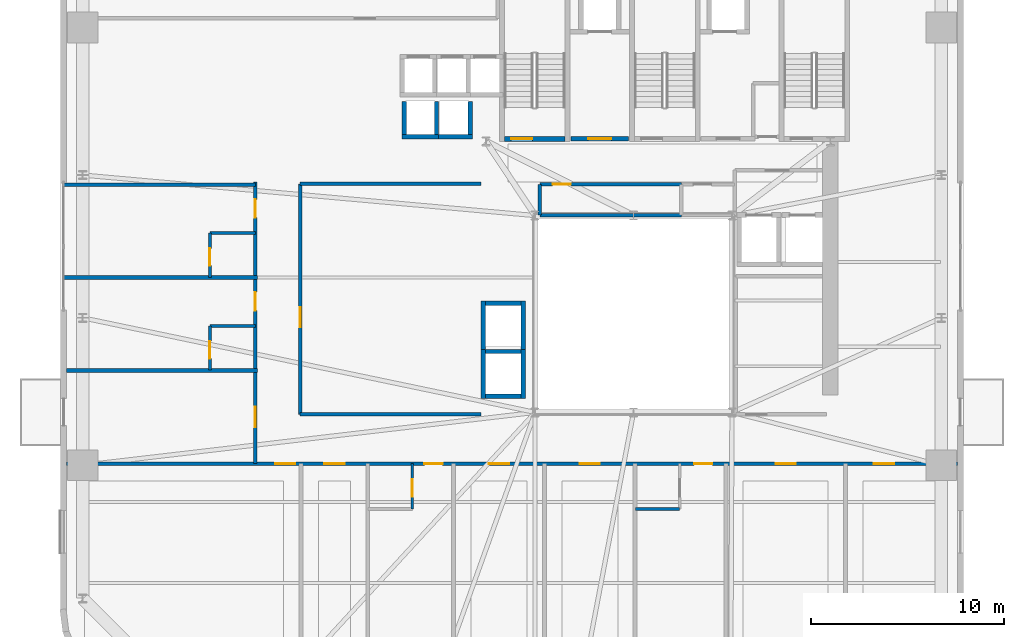
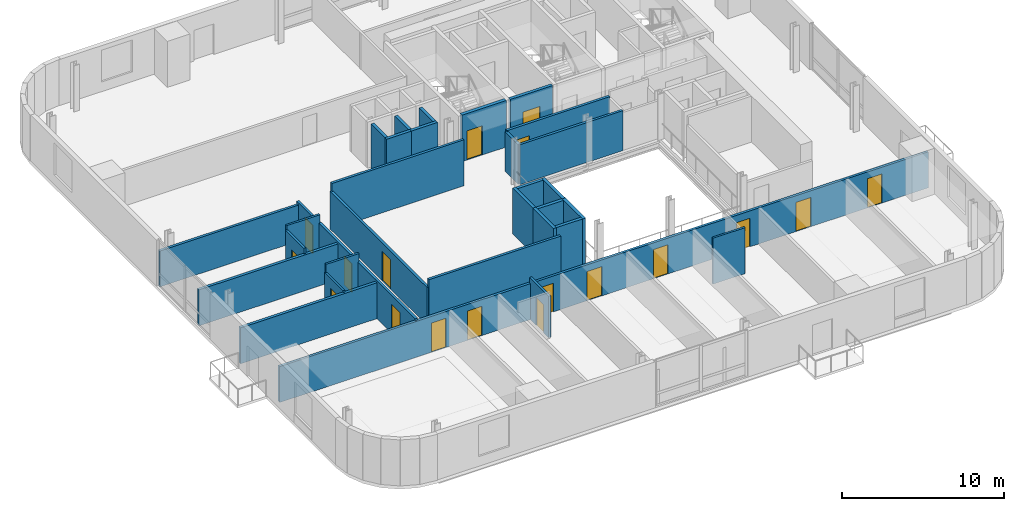
# One storey, part 6 of 14: 31 walls, 18 doors, 18 openings.
"""IFC4 building model written with IfcOpenShell, lengths in metres."""

from ifc_helpers import new_model, si_unit, direction, frame, frame_2d, origin, place, context, subcontext, project, spatial, rectangle, extrude, source, transform, mapped, material, layer, layer_set, type_object, element, fill, save


model = new_model("IFC4")

# Units and contexts
model_context = context("Model", 3, precision=1e-05, world=origin(), true_north=direction((0.0, 1.0)))
body_context = subcontext(model_context, "Body", "Model", "MODEL_VIEW")
ifc_project = project(units=[si_unit("LENGTHUNIT", "METRE"), si_unit("AREAUNIT", "SQUARE_METRE"), si_unit("VOLUMEUNIT", "CUBIC_METRE"), si_unit("PLANEANGLEUNIT", "RADIAN"), si_unit("MASSUNIT", "GRAM", prefix="KILO")], contexts=[model_context])

# Site, building, storey
site_placement = place(None, origin())
site = spatial("IfcSite", under=ifc_project, at=site_placement, CompositionType="ELEMENT")
building_placement = place(site_placement, origin())
building = spatial("IfcBuilding", under=site, at=building_placement, Name="Vardaveli Station Tower", CompositionType="ELEMENT")
storey_placement = place(building_placement, frame((0.0, 0.0, 152.0)))
storey = spatial("IfcBuildingStorey", under=building, at=storey_placement, Name="L39", CompositionType="ELEMENT", Elevation=152.0)

# Wall, opening, door
ifc_material_1 = material(Name="Concrete C40/50", Category="concrete")
ifc_layer_1 = layer(ifc_material_1, 0.25, Name="Concrete C40/50")
ifc_layer_set_1 = layer_set([ifc_layer_1], Name="Concrete C40/50")
wall_type_1 = type_object("IfcWallType", Name="WAL-SHAFT-250", PredefinedType="SOLIDWALL", material=ifc_layer_set_1)
shared_shape_1 = source(origin(), body_context, "Body", "SweptSolid", [
    extrude(rectangle(XDim=3.14990234375, YDim=0.25, at=frame_2d((1.574951171875, 0.0))), origin(), (0.0, 0.0, 1.0), 3.5),
])
wall_1_placement = place(storey_placement, frame((29.60009765625, 30.77490234375, 0.0), z_axis=(0.0, 0.0, 1.0), x_axis=(1.0, 0.0, 0.0)))
wall_1 = element("IfcWall", 1, at=wall_1_placement, inside=storey, type_object=wall_type_1, Name="W-L39-ST-1S", PredefinedType="SOLIDWALL", context=body_context, shape_type="MappedRepresentation", body=[
    mapped(shared_shape_1, transform((0.0, 0.0, 0.0), scale=1.0)),
])
shared_shape_2 = source(origin(), body_context, "Body", "SweptSolid", [
    extrude(rectangle(XDim=1.10009765625, YDim=2.199951171875, at=frame_2d((0.550048828125, 1.10009765625))), frame((0.0, 0.135009765625, 0.0), z_axis=(0.0, -1.0, 0.0), x_axis=(1.0, 0.0, 0.0)), (0.0, 0.0, 1.0), 0.27001953125),
])
opening_1_placement = place(wall_1_placement, frame((0.35009765625, 0.0, 0.0)))
opening_1 = element("IfcOpeningElement", 2, at=opening_1_placement, cuts=wall_1, Name="Opening D-04", PredefinedType="OPENING", context=body_context, shape_type="MappedRepresentation", body=[
    mapped(shared_shape_2, transform((0.0, 0.0, 0.0), scale=1.0)),
])
ifc_material_2 = material(Name="Steel smokeproof fire doorset", Category="steel")
door_type_1 = type_object("IfcDoorType", Name="DR-ST-1100x2200", OperationType="NOTDEFINED", PredefinedType="DOOR", material=ifc_material_2)
shared_shape_3 = source(origin(), body_context, "Body", "SweptSolid", [
    extrude(rectangle(XDim=1.10009765625, YDim=2.199951171875, at=frame_2d((0.550048828125, 1.10009765625))), frame((0.0, 0.02490234375, 0.0), z_axis=(0.0, -1.0, 0.0), x_axis=(1.0, 0.0, 0.0)), (0.0, 0.0, 1.0), 0.050048828125),
])
door_1_placement = place(opening_1_placement, origin())
door_1 = element("IfcDoor", 3, at=door_1_placement, inside=storey, type_object=door_type_1, Name="DST-1-L39", OperationType="SINGLE_SWING_LEFT", OverallHeight=2.199951171875, OverallWidth=1.10009765625, PredefinedType="DOOR", context=body_context, shape_type="MappedRepresentation", body=[
    mapped(shared_shape_3, transform((0.0, 0.0, 0.0), scale=1.0)),
])
fill(opening_1, door_1)

ifc_layer_2 = layer(ifc_material_1, 0.219970703125, Name="Concrete C40/50")
ifc_layer_set_2 = layer_set([ifc_layer_2], Name="Concrete C40/50")
wall_type_2 = type_object("IfcWallType", Name="WAL-FFLOBBY-220", PredefinedType="SOLIDWALL", material=ifc_layer_set_2)
shared_shape_4 = source(origin(), body_context, "Body", "SweptSolid", [
    extrude(rectangle(XDim=3.0, YDim=0.219970703125, at=frame_2d((1.5, 0.0))), origin(), (0.0, 0.0, 1.0), 3.4599609375),
])
wall_2_placement = place(storey_placement, frame((33.050048828125, 30.780029296875, 0.0), z_axis=(0.0, 0.0, 1.0), x_axis=(1.0, 0.0, 0.0)))
wall_2 = element("IfcWall", 4, at=wall_2_placement, inside=storey, type_object=wall_type_2, Name="W-L39-FFL1S", PredefinedType="SOLIDWALL", context=body_context, shape_type="MappedRepresentation", body=[
    mapped(shared_shape_4, transform((0.0, 0.0, 0.0), scale=1.0)),
])
shared_shape_5 = source(origin(), body_context, "Body", "SweptSolid", [
    extrude(rectangle(XDim=1.199951171875, YDim=2.199951171875, at=frame_2d((0.60009765625, 1.10009765625))), frame((0.0, 0.1201171875, 0.0), z_axis=(0.0, -1.0, 0.0), x_axis=(1.0, 0.0, 0.0)), (0.0, 0.0, 1.0), 0.239990234375),
])
opening_2_placement = place(wall_2_placement, frame((0.89990234375, 0.0, 0.0)))
opening_2 = element("IfcOpeningElement", 5, at=opening_2_placement, cuts=wall_2, Name="Opening D-03", PredefinedType="OPENING", context=body_context, shape_type="MappedRepresentation", body=[
    mapped(shared_shape_5, transform((0.0, 0.0, 0.0), scale=1.0)),
])
door_type_2 = type_object("IfcDoorType", Name="DR-FFL-1200x2200", OperationType="NOTDEFINED", PredefinedType="DOOR", material=ifc_material_2)
shared_shape_6 = source(origin(), body_context, "Body", "SweptSolid", [
    extrude(rectangle(XDim=1.199951171875, YDim=2.199951171875, at=frame_2d((0.60009765625, 1.10009765625))), frame((0.0, 0.02490234375, 0.0), z_axis=(0.0, -1.0, 0.0), x_axis=(1.0, 0.0, 0.0)), (0.0, 0.0, 1.0), 0.050048828125),
])
door_2_placement = place(opening_2_placement, origin())
door_2 = element("IfcDoor", 6, at=door_2_placement, inside=storey, type_object=door_type_2, Name="DFFL1-L39", OperationType="SINGLE_SWING_LEFT", OverallHeight=2.199951171875, OverallWidth=1.199951171875, PredefinedType="DOOR", context=body_context, shape_type="MappedRepresentation", body=[
    mapped(shared_shape_6, transform((0.0, 0.0, 0.0), scale=1.0)),
])
fill(opening_2, door_2)

# Walls
shared_shape_7 = source(origin(), body_context, "Body", "SweptSolid", [
    extrude(rectangle(XDim=1.89013671875, YDim=0.219970703125, at=frame_2d((0.945068359375, 0.0))), origin(), (0.0, 0.0, 1.0), 3.4599609375),
])
for number, where, z_axis, x_axis, name in (
    (7, (24.304931640625, 30.889892578125, 0.0), (0.0, 0.0, 1.0), (1.0, 0.0, 0.0), "SHW-SHU-01-L39-S"),
    (8, (26.054931640625, 30.889892578125, 0.0), (0.0, 0.0, 1.0), (1.0, 0.0, 0.0), "SHW-SHU-02-L39-S"),
):
    element("IfcWall", number, at=place(storey_placement, frame(where, z_axis=z_axis, x_axis=x_axis)), inside=storey, type_object=wall_type_2, Name=name, PredefinedType="SOLIDWALL", context=body_context, shape_type="MappedRepresentation", body=[
        mapped(shared_shape_7, transform((0.0, 0.0, 0.0), scale=1.0)),
    ])
shared_shape_8 = source(origin(), body_context, "Body", "SweptSolid", [
    extrude(rectangle(XDim=1.699951171875, YDim=0.219970703125, at=frame_2d((0.85009765625, 0.0))), origin(), (0.0, 0.0, 1.0), 3.4599609375),
])
for number, where, z_axis, x_axis, name in (
    (9, (24.4150390625, 31.0, 0.0), (0.0, 0.0, 1.0), (0.0, 1.0, 0.0), "SHW-SHU-01-L39-W"),
    (10, (26.0849609375, 31.0, 0.0), (0.0, 0.0, 1.0), (0.0, 1.0, 0.0), "SHW-SHU-01-L39-E"),
    (11, (27.8349609375, 31.0, 0.0), (0.0, 0.0, 1.0), (0.0, 1.0, 0.0), "SHW-SHU-02-L39-E"),
):
    element("IfcWall", number, at=place(storey_placement, frame(where, z_axis=z_axis, x_axis=x_axis)), inside=storey, type_object=wall_type_2, Name=name, PredefinedType="SOLIDWALL", context=body_context, shape_type="MappedRepresentation", body=[
        mapped(shared_shape_8, transform((0.0, 0.0, 0.0), scale=1.0)),
    ])
shared_shape_9 = source(origin(), body_context, "Body", "SweptSolid", [
    extrude(rectangle(XDim=1.85009765625, YDim=0.219970703125, at=frame_2d((0.925048828125, 0.0))), origin(), (0.0, 0.0, 1.0), 3.4599609375),
])
for number, where, z_axis, x_axis, name in (
    (12, (28.625, 17.43994140625, 0.0), (0.0, 0.0, 1.0), (1.0, 0.0, 0.0), "SHW-OBS-01-L39-S"),
    (13, (28.625, 19.760009765625, 0.0), (0.0, 0.0, 1.0), (1.0, 0.0, 0.0), "SHW-OBS-01-L39-N"),
    (14, (28.625, 22.260009765625, 0.0), (0.0, 0.0, 1.0), (1.0, 0.0, 0.0), "SHW-OBS-02-L39-N"),
):
    element("IfcWall", number, at=place(storey_placement, frame(where, z_axis=z_axis, x_axis=x_axis)), inside=storey, type_object=wall_type_2, Name=name, PredefinedType="SOLIDWALL", context=body_context, shape_type="MappedRepresentation", body=[
        mapped(shared_shape_9, transform((0.0, 0.0, 0.0), scale=1.0)),
    ])
shared_shape_10 = source(origin(), body_context, "Body", "SweptSolid", [
    extrude(rectangle(XDim=2.5400390625, YDim=0.219970703125, at=frame_2d((1.27001953125, 0.0))), origin(), (0.0, 0.0, 1.0), 3.4599609375),
])
for number, where, z_axis, x_axis, name in (
    (15, (28.514892578125, 17.330078125, 0.0), (0.0, 0.0, 1.0), (0.0, 1.0, 0.0), "SHW-OBS-01-L39-W"),
    (16, (30.5849609375, 17.330078125, 0.0), (0.0, 0.0, 1.0), (0.0, 1.0, 0.0), "SHW-OBS-01-L39-E"),
    (17, (28.514892578125, 19.830078125, 0.0), (0.0, 0.0, 1.0), (0.0, 1.0, 0.0), "SHW-OBS-02-L39-W"),
    (18, (30.5849609375, 19.830078125, 0.0), (0.0, 0.0, 1.0), (0.0, 1.0, 0.0), "SHW-OBS-02-L39-E"),
):
    element("IfcWall", number, at=place(storey_placement, frame(where, z_axis=z_axis, x_axis=x_axis)), inside=storey, type_object=wall_type_2, Name=name, PredefinedType="SOLIDWALL", context=body_context, shape_type="MappedRepresentation", body=[
        mapped(shared_shape_10, transform((0.0, 0.0, 0.0), scale=1.0)),
    ])

# Wall, openings, doors
ifc_material_3 = material(Name="Fire-rated gypsum stud partition")
ifc_layer_3 = layer(ifc_material_3, 0.179931640625, Name="Fire-rated gypsum stud partition")
ifc_layer_set_3 = layer_set([ifc_layer_3], Name="Fire-rated gypsum stud partition")
wall_type_3 = type_object("IfcWallType", Name="WAL-CORR-180", PredefinedType="PARTITIONING", material=ifc_layer_set_3)
shared_shape_11 = source(origin(), body_context, "Body", "SweptSolid", [
    extrude(rectangle(XDim=46.15576171875, YDim=0.179931640625, at=frame_2d((23.077880859375, 0.0))), origin(), (0.0, 0.0, 1.0), 2.701904296875),
])
wall_3_placement = place(storey_placement, frame((6.922119140625, 13.949951171875, 0.0), z_axis=(0.0, 0.0, 1.0), x_axis=(1.0, 0.0, 0.0)))
wall_3 = element("IfcWall", 19, at=wall_3_placement, inside=storey, type_object=wall_type_3, Name="W-L39-CS", PredefinedType="PARTITIONING", context=body_context, shape_type="MappedRepresentation", body=[
    mapped(shared_shape_11, transform((0.0, 0.0, 0.0), scale=1.0)),
])
shared_shape_12 = source(origin(), body_context, "Body", "SweptSolid", [
    extrude(rectangle(XDim=1.050048828125, YDim=2.199951171875, at=frame_2d((0.52490234375, 1.10009765625))), frame((0.0, 0.10009765625, 0.0), z_axis=(0.0, -1.0, 0.0), x_axis=(1.0, 0.0, 0.0)), (0.0, 0.0, 1.0), 0.199951171875),
])
opening_3_placement = place(wall_3_placement, frame((10.798095703125, 0.0, 0.0)))
opening_3 = element("IfcOpeningElement", 20, at=opening_3_placement, cuts=wall_3, Name="Opening D-05", PredefinedType="OPENING", context=body_context, shape_type="MappedRepresentation", body=[
    mapped(shared_shape_12, transform((0.0, 0.0, 0.0), scale=1.0)),
])
opening_4_placement = place(wall_3_placement, frame((13.35302734375, 0.0, 0.0)))
opening_4 = element("IfcOpeningElement", 21, at=opening_4_placement, cuts=wall_3, Name="Opening D-05", PredefinedType="OPENING", context=body_context, shape_type="MappedRepresentation", body=[
    mapped(shared_shape_12, transform((0.0, 0.0, 0.0), scale=1.0)),
])
shared_shape_13 = source(origin(), body_context, "Body", "SweptSolid", [
    extrude(rectangle(XDim=0.949951171875, YDim=2.14990234375, at=frame_2d((0.47509765625, 1.074951171875))), frame((0.0, 0.10009765625, 0.0), z_axis=(0.0, -1.0, 0.0), x_axis=(1.0, 0.0, 0.0)), (0.0, 0.0, 1.0), 0.199951171875),
])
opening_5_placement = place(wall_3_placement, frame((18.531005859375, 0.0, 0.0)))
opening_5 = element("IfcOpeningElement", 22, at=opening_5_placement, cuts=wall_3, Name="Opening D-06", PredefinedType="OPENING", context=body_context, shape_type="MappedRepresentation", body=[
    mapped(shared_shape_13, transform((0.0, 0.0, 0.0), scale=1.0)),
])
opening_6_placement = place(wall_3_placement, frame((21.88525390625, 0.0, 0.0)))
opening_6 = element("IfcOpeningElement", 23, at=opening_6_placement, cuts=wall_3, Name="Opening D-05", PredefinedType="OPENING", context=body_context, shape_type="MappedRepresentation", body=[
    mapped(shared_shape_12, transform((0.0, 0.0, 0.0), scale=1.0)),
])
opening_7_placement = place(wall_3_placement, frame((26.588134765625, 0.0, 0.0)))
opening_7 = element("IfcOpeningElement", 24, at=opening_7_placement, cuts=wall_3, Name="Opening D-05", PredefinedType="OPENING", context=body_context, shape_type="MappedRepresentation", body=[
    mapped(shared_shape_12, transform((0.0, 0.0, 0.0), scale=1.0)),
])
opening_8_placement = place(wall_3_placement, frame((32.51611328125, 0.0, 0.0)))
opening_8 = element("IfcOpeningElement", 25, at=opening_8_placement, cuts=wall_3, Name="Opening D-06", PredefinedType="OPENING", context=body_context, shape_type="MappedRepresentation", body=[
    mapped(shared_shape_13, transform((0.0, 0.0, 0.0), scale=1.0)),
])
opening_9_placement = place(wall_3_placement, frame((36.743896484375, 0.0, 0.0)))
opening_9 = element("IfcOpeningElement", 26, at=opening_9_placement, cuts=wall_3, Name="Opening D-05", PredefinedType="OPENING", context=body_context, shape_type="MappedRepresentation", body=[
    mapped(shared_shape_12, transform((0.0, 0.0, 0.0), scale=1.0)),
])
opening_10_placement = place(wall_3_placement, frame((41.827880859375, 0.0, 0.0)))
opening_10 = element("IfcOpeningElement", 27, at=opening_10_placement, cuts=wall_3, Name="Opening D-05", PredefinedType="OPENING", context=body_context, shape_type="MappedRepresentation", body=[
    mapped(shared_shape_12, transform((0.0, 0.0, 0.0), scale=1.0)),
])
ifc_material_4 = material(Name="Walnut veneer acoustic fire door")
door_type_3 = type_object("IfcDoorType", Name="DR-SUITE-1050x2200", OperationType="NOTDEFINED", PredefinedType="DOOR", material=ifc_material_4)
shared_shape_14 = source(origin(), body_context, "Body", "SweptSolid", [
    extrude(rectangle(XDim=1.050048828125, YDim=2.199951171875, at=frame_2d((0.52490234375, 1.10009765625))), frame((0.0, 0.02490234375, 0.0), z_axis=(0.0, -1.0, 0.0), x_axis=(1.0, 0.0, 0.0)), (0.0, 0.0, 1.0), 0.050048828125),
])
door_3_placement = place(opening_3_placement, origin())
door_3 = element("IfcDoor", 28, at=door_3_placement, inside=storey, type_object=door_type_3, Name="D-L39-SA1", OperationType="SINGLE_SWING_RIGHT", OverallHeight=2.199951171875, OverallWidth=1.050048828125, PredefinedType="DOOR", context=body_context, shape_type="MappedRepresentation", body=[
    mapped(shared_shape_14, transform((0.0, 0.0, 0.0), scale=1.0)),
])
fill(opening_3, door_3)
door_4_placement = place(opening_4_placement, origin())
door_4 = element("IfcDoor", 29, at=door_4_placement, inside=storey, type_object=door_type_3, Name="D-L39-SA2", OperationType="SINGLE_SWING_LEFT", OverallHeight=2.199951171875, OverallWidth=1.050048828125, PredefinedType="DOOR", context=body_context, shape_type="MappedRepresentation", body=[
    mapped(shared_shape_14, transform((0.0, 0.0, 0.0), scale=1.0)),
])
fill(opening_4, door_4)
door_5_placement = place(opening_6_placement, origin())
door_5 = element("IfcDoor", 30, at=door_5_placement, inside=storey, type_object=door_type_3, Name="D-L39-SA4", OperationType="SINGLE_SWING_LEFT", OverallHeight=2.199951171875, OverallWidth=1.050048828125, PredefinedType="DOOR", context=body_context, shape_type="MappedRepresentation", body=[
    mapped(shared_shape_14, transform((0.0, 0.0, 0.0), scale=1.0)),
])
fill(opening_6, door_5)
door_6_placement = place(opening_7_placement, origin())
door_6 = element("IfcDoor", 31, at=door_6_placement, inside=storey, type_object=door_type_3, Name="D-L39-SA5", OperationType="SINGLE_SWING_RIGHT", OverallHeight=2.199951171875, OverallWidth=1.050048828125, PredefinedType="DOOR", context=body_context, shape_type="MappedRepresentation", body=[
    mapped(shared_shape_14, transform((0.0, 0.0, 0.0), scale=1.0)),
])
fill(opening_7, door_6)
door_7_placement = place(opening_9_placement, origin())
door_7 = element("IfcDoor", 32, at=door_7_placement, inside=storey, type_object=door_type_3, Name="D-L39-SA7", OperationType="SINGLE_SWING_RIGHT", OverallHeight=2.199951171875, OverallWidth=1.050048828125, PredefinedType="DOOR", context=body_context, shape_type="MappedRepresentation", body=[
    mapped(shared_shape_14, transform((0.0, 0.0, 0.0), scale=1.0)),
])
fill(opening_9, door_7)
door_8_placement = place(opening_10_placement, origin())
door_8 = element("IfcDoor", 33, at=door_8_placement, inside=storey, type_object=door_type_3, Name="D-L39-SA8", OperationType="SINGLE_SWING_LEFT", OverallHeight=2.199951171875, OverallWidth=1.050048828125, PredefinedType="DOOR", context=body_context, shape_type="MappedRepresentation", body=[
    mapped(shared_shape_14, transform((0.0, 0.0, 0.0), scale=1.0)),
])
fill(opening_10, door_8)
ifc_material_5 = material(Name="Oak veneer acoustic fire door")
door_type_4 = type_object("IfcDoorType", Name="DR-GUEST-950x2150", OperationType="NOTDEFINED", PredefinedType="DOOR", material=ifc_material_5)
shared_shape_15 = source(origin(), body_context, "Body", "SweptSolid", [
    extrude(rectangle(XDim=0.949951171875, YDim=2.14990234375, at=frame_2d((0.47509765625, 1.074951171875))), frame((0.0, 0.02490234375, 0.0), z_axis=(0.0, -1.0, 0.0), x_axis=(1.0, 0.0, 0.0)), (0.0, 0.0, 1.0), 0.050048828125),
])
door_9_placement = place(opening_5_placement, origin())
door_9 = element("IfcDoor", 34, at=door_9_placement, inside=storey, type_object=door_type_4, Name="D-L39-GS3", OperationType="SINGLE_SWING_RIGHT", OverallHeight=2.14990234375, OverallWidth=0.949951171875, PredefinedType="DOOR", context=body_context, shape_type="MappedRepresentation", body=[
    mapped(shared_shape_15, transform((0.0, 0.0, 0.0), scale=1.0)),
])
fill(opening_5, door_9)
door_10_placement = place(opening_8_placement, origin())
door_10 = element("IfcDoor", 35, at=door_10_placement, inside=storey, type_object=door_type_4, Name="D-L39-GS6", OperationType="SINGLE_SWING_LEFT", OverallHeight=2.14990234375, OverallWidth=0.949951171875, PredefinedType="DOOR", context=body_context, shape_type="MappedRepresentation", body=[
    mapped(shared_shape_15, transform((0.0, 0.0, 0.0), scale=1.0)),
])
fill(opening_8, door_10)

shared_shape_16 = source(origin(), body_context, "Body", "SweptSolid", [
    extrude(rectangle(XDim=14.60009765625, YDim=0.179931640625, at=frame_2d((7.300048828125, 0.0))), origin(), (0.0, 0.0, 1.0), 2.85205078125),
])
wall_4_placement = place(storey_placement, frame((16.699951171875, 13.949951171875, 0.0), z_axis=(0.0, 0.0, 1.0), x_axis=(0.0, 1.0, 0.0)))
wall_4 = element("IfcWall", 36, at=wall_4_placement, inside=storey, type_object=wall_type_3, Name="W-L39-CW", PredefinedType="PARTITIONING", context=body_context, shape_type="MappedRepresentation", body=[
    mapped(shared_shape_16, transform((0.0, 0.0, 0.0), scale=1.0)),
])
opening_11_placement = place(wall_4_placement, frame((1.888427734375, 0.0, 0.0)))
opening_11 = element("IfcOpeningElement", 37, at=opening_11_placement, cuts=wall_4, Name="Opening D-05", PredefinedType="OPENING", context=body_context, shape_type="MappedRepresentation", body=[
    mapped(shared_shape_12, transform((0.0, 0.0, 0.0), scale=1.0)),
])
opening_12_placement = place(wall_4_placement, frame((7.929931640625, 0.0, 0.0)))
opening_12 = element("IfcOpeningElement", 38, at=opening_12_placement, cuts=wall_4, Name="Opening D-06", PredefinedType="OPENING", context=body_context, shape_type="MappedRepresentation", body=[
    mapped(shared_shape_13, transform((0.0, 0.0, 0.0), scale=1.0)),
])
opening_13_placement = place(wall_4_placement, frame((12.74658203125, 0.0, 0.0)))
opening_13 = element("IfcOpeningElement", 39, at=opening_13_placement, cuts=wall_4, Name="Opening D-06", PredefinedType="OPENING", context=body_context, shape_type="MappedRepresentation", body=[
    mapped(shared_shape_13, transform((0.0, 0.0, 0.0), scale=1.0)),
])
door_11_placement = place(opening_11_placement, origin())
door_11 = element("IfcDoor", 40, at=door_11_placement, inside=storey, type_object=door_type_3, Name="D-L39-GW1", OperationType="SINGLE_SWING_RIGHT", OverallHeight=2.199951171875, OverallWidth=1.050048828125, PredefinedType="DOOR", context=body_context, shape_type="MappedRepresentation", body=[
    mapped(shared_shape_14, transform((0.0, 0.0, 0.0), scale=1.0)),
])
fill(opening_11, door_11)
door_12_placement = place(opening_12_placement, origin())
door_12 = element("IfcDoor", 41, at=door_12_placement, inside=storey, type_object=door_type_4, Name="D-L39-GW2", OperationType="SINGLE_SWING_LEFT", OverallHeight=2.14990234375, OverallWidth=0.949951171875, PredefinedType="DOOR", context=body_context, shape_type="MappedRepresentation", body=[
    mapped(shared_shape_15, transform((0.0, 0.0, 0.0), scale=1.0)),
])
fill(opening_12, door_12)
door_13_placement = place(opening_13_placement, origin())
door_13 = element("IfcDoor", 42, at=door_13_placement, inside=storey, type_object=door_type_4, Name="D-L39-GW3", OperationType="SINGLE_SWING_RIGHT", OverallHeight=2.14990234375, OverallWidth=0.949951171875, PredefinedType="DOOR", context=body_context, shape_type="MappedRepresentation", body=[
    mapped(shared_shape_15, transform((0.0, 0.0, 0.0), scale=1.0)),
])
fill(opening_13, door_13)

# Wall, opening, door
ifc_material_6 = material(Name="Moisture-resistant stud partition")
ifc_layer_4 = layer(ifc_material_6, 0.14990234375, Name="Moisture-resistant stud partition")
ifc_layer_set_4 = layer_set([ifc_layer_4], Name="Moisture-resistant stud partition")
wall_type_4 = type_object("IfcWallType", Name="WAL-WET-150", PredefinedType="PARTITIONING", material=ifc_layer_set_4)
shared_shape_17 = source(origin(), body_context, "Body", "SweptSolid", [
    extrude(rectangle(XDim=2.289794921875, YDim=0.14990234375, at=frame_2d((1.14501953125, 0.0))), origin(), (0.0, 0.0, 1.0), 2.85205078125),
])
wall_5_placement = place(storey_placement, frame((14.340087890625, 18.787109375, 0.0), z_axis=(0.0, 0.0, 1.0), x_axis=(0.0, 1.0, 0.0)))
wall_5 = element("IfcWall", 43, at=wall_5_placement, inside=storey, type_object=wall_type_4, Name="W-L39-BW2-W", PredefinedType="PARTITIONING", context=body_context, shape_type="MappedRepresentation", body=[
    mapped(shared_shape_17, transform((0.0, 0.0, 0.0), scale=1.0)),
])
shared_shape_18 = source(origin(), body_context, "Body", "SweptSolid", [
    extrude(rectangle(XDim=0.89990234375, YDim=2.10009765625, at=frame_2d((0.449951171875, 1.050048828125))), frame((0.0, 0.0849609375, 0.0), z_axis=(0.0, -1.0, 0.0), x_axis=(1.0, 0.0, 0.0)), (0.0, 0.0, 1.0), 0.169921875),
])
opening_14_placement = place(wall_5_placement, frame((0.60009765625, 0.0, 0.0)))
opening_14 = element("IfcOpeningElement", 44, at=opening_14_placement, cuts=wall_5, Name="Opening D-08", PredefinedType="OPENING", context=body_context, shape_type="MappedRepresentation", body=[
    mapped(shared_shape_18, transform((0.0, 0.0, 0.0), scale=1.0)),
])
ifc_material_7 = material(Name="Moisture-resistant oak door")
door_type_5 = type_object("IfcDoorType", Name="DR-BATH-900x2100", OperationType="NOTDEFINED", PredefinedType="DOOR", material=ifc_material_7)
shared_shape_19 = source(origin(), body_context, "Body", "SweptSolid", [
    extrude(rectangle(XDim=0.89990234375, YDim=2.10009765625, at=frame_2d((0.449951171875, 1.050048828125))), frame((0.0, 0.02490234375, 0.0), z_axis=(0.0, -1.0, 0.0), x_axis=(1.0, 0.0, 0.0)), (0.0, 0.0, 1.0), 0.050048828125),
])
door_14_placement = place(opening_14_placement, origin())
door_14 = element("IfcDoor", 45, at=door_14_placement, inside=storey, type_object=door_type_5, Name="D-L39-BW2", OperationType="SINGLE_SWING_RIGHT", OverallHeight=2.10009765625, OverallWidth=0.89990234375, PredefinedType="DOOR", context=body_context, shape_type="MappedRepresentation", body=[
    mapped(shared_shape_19, transform((0.0, 0.0, 0.0), scale=1.0)),
])
fill(opening_14, door_14)

# Wall
shared_shape_20 = source(origin(), body_context, "Body", "SweptSolid", [
    extrude(rectangle(XDim=1.599853515625, YDim=0.179931640625, at=frame_2d((0.7998046875, 0.0))), origin(), (0.0, 0.0, 1.0), 3.001953125),
])
wall_6_placement = place(storey_placement, frame((31.449951171875, 26.820068359375, 0.0), z_axis=(0.0, 0.0, 1.0), x_axis=(0.0, 1.0, 0.0)))
element("IfcWall", 46, at=wall_6_placement, inside=storey, type_object=wall_type_3, Name="W-L39-HKP0-W", PredefinedType="PARTITIONING", context=body_context, shape_type="MappedRepresentation", body=[
    mapped(shared_shape_20, transform((0.0, 0.0, 0.0), scale=1.0)),
])

# Wall, opening, door
shared_shape_21 = source(origin(), body_context, "Body", "SweptSolid", [
    extrude(rectangle(XDim=11.93994140625, YDim=0.179931640625, at=frame_2d((5.969970703125, 0.0))), origin(), (0.0, 0.0, 1.0), 2.85205078125),
])
wall_7_placement = place(storey_placement, frame((19.02001953125, 16.5, 0.0), z_axis=(0.0, 0.0, 1.0), x_axis=(0.0, 1.0, 0.0)))
wall_7 = element("IfcWall", 47, at=wall_7_placement, inside=storey, type_object=wall_type_3, Name="W-L39-ATW-W", PredefinedType="PARTITIONING", context=body_context, shape_type="MappedRepresentation", body=[
    mapped(shared_shape_21, transform((0.0, 0.0, 0.0), scale=1.0)),
])
opening_15_placement = place(wall_7_placement, frame((4.5, 0.0, 0.0)))
opening_15 = element("IfcOpeningElement", 48, at=opening_15_placement, cuts=wall_7, Name="Opening D-05", PredefinedType="OPENING", context=body_context, shape_type="MappedRepresentation", body=[
    mapped(shared_shape_12, transform((0.0, 0.0, 0.0), scale=1.0)),
])
door_15_placement = place(opening_15_placement, origin())
door_15 = element("IfcDoor", 49, at=door_15_placement, inside=storey, type_object=door_type_3, Name="D-L39-ATW1", OperationType="SINGLE_SWING_LEFT", OverallHeight=2.199951171875, OverallWidth=1.050048828125, PredefinedType="DOOR", context=body_context, shape_type="MappedRepresentation", body=[
    mapped(shared_shape_14, transform((0.0, 0.0, 0.0), scale=1.0)),
])
fill(opening_15, door_15)

shared_shape_22 = source(origin(), body_context, "Body", "SweptSolid", [
    extrude(rectangle(XDim=7.330078125, YDim=0.179931640625, at=frame_2d((3.6650390625, 0.0))), origin(), (0.0, 0.0, 1.0), 3.092041015625),
])
wall_8_placement = place(storey_placement, frame((31.449951171875, 28.419921875, 0.0), z_axis=(0.0, 0.0, 1.0), x_axis=(1.0, 0.0, 0.0)))
wall_8 = element("IfcWall", 50, at=wall_8_placement, inside=storey, type_object=wall_type_3, Name="W-L39-HKP0-N", PredefinedType="PARTITIONING", context=body_context, shape_type="MappedRepresentation", body=[
    mapped(shared_shape_22, transform((0.0, 0.0, 0.0), scale=1.0)),
])
opening_16_placement = place(wall_8_placement, frame((0.64990234375, 0.0, 0.0)))
opening_16 = element("IfcOpeningElement", 51, at=opening_16_placement, cuts=wall_8, Name="Opening D-06", PredefinedType="OPENING", context=body_context, shape_type="MappedRepresentation", body=[
    mapped(shared_shape_13, transform((0.0, 0.0, 0.0), scale=1.0)),
])
door_16_placement = place(opening_16_placement, origin())
door_16 = element("IfcDoor", 52, at=door_16_placement, inside=storey, type_object=door_type_4, Name="D-L39-HKP", OperationType="SINGLE_SWING_RIGHT", OverallHeight=2.14990234375, OverallWidth=0.949951171875, PredefinedType="DOOR", context=body_context, shape_type="MappedRepresentation", body=[
    mapped(shared_shape_15, transform((0.0, 0.0, 0.0), scale=1.0)),
])
fill(opening_16, door_16)

# Walls
shared_shape_23 = source(origin(), body_context, "Body", "SweptSolid", [
    extrude(rectangle(XDim=7.330078125, YDim=0.179931640625, at=frame_2d((3.6650390625, 0.0))), origin(), (0.0, 0.0, 1.0), 3.001953125),
])
wall_9_placement = place(storey_placement, frame((31.449951171875, 26.820068359375, 0.0), z_axis=(0.0, 0.0, 1.0), x_axis=(1.0, 0.0, 0.0)))
element("IfcWall", 53, at=wall_9_placement, inside=storey, type_object=wall_type_3, Name="W-L39-HKP0-S", PredefinedType="PARTITIONING", context=body_context, shape_type="MappedRepresentation", body=[
    mapped(shared_shape_23, transform((0.0, 0.0, 0.0), scale=1.0)),
])
shared_shape_24 = source(origin(), body_context, "Body", "SweptSolid", [
    extrude(rectangle(XDim=2.35986328125, YDim=0.14990234375, at=frame_2d((1.179931640625, 0.0))), origin(), (0.0, 0.0, 1.0), 3.4599609375),
])
for number, where, z_axis, x_axis, name in (
    (54, (14.340087890625, 21.076904296875, 0.0), (0.0, 0.0, 1.0), (1.0, 0.0, 0.0), "W-L39-BW2-N"),
    (55, (14.340087890625, 25.89306640625, 0.0), (0.0, 0.0, 1.0), (1.0, 0.0, 0.0), "W-L39-BW3-N"),
):
    element("IfcWall", number, at=place(storey_placement, frame(where, z_axis=z_axis, x_axis=x_axis)), inside=storey, type_object=wall_type_4, Name=name, PredefinedType="PARTITIONING", context=body_context, shape_type="MappedRepresentation", body=[
        mapped(shared_shape_24, transform((0.0, 0.0, 0.0), scale=1.0)),
    ])

# Wall, opening, door
shared_shape_25 = source(origin(), body_context, "Body", "SweptSolid", [
    extrude(rectangle(XDim=2.35986328125, YDim=0.14990234375, at=frame_2d((1.179931640625, 0.0))), origin(), (0.0, 0.0, 1.0), 3.1220703125),
])
wall_10_placement = place(storey_placement, frame((24.830078125, 11.590087890625, 0.0), z_axis=(0.0, 0.0, 1.0), x_axis=(0.0, 1.0, 0.0)))
wall_10 = element("IfcWall", 56, at=wall_10_placement, inside=storey, type_object=wall_type_4, Name="W-L39-BS3-E", PredefinedType="PARTITIONING", context=body_context, shape_type="MappedRepresentation", body=[
    mapped(shared_shape_25, transform((0.0, 0.0, 0.0), scale=1.0)),
])
opening_17_placement = place(wall_10_placement, frame((0.64990234375, 0.0, 0.0)))
opening_17 = element("IfcOpeningElement", 57, at=opening_17_placement, cuts=wall_10, Name="Opening D-08", PredefinedType="OPENING", context=body_context, shape_type="MappedRepresentation", body=[
    mapped(shared_shape_18, transform((0.0, 0.0, 0.0), scale=1.0)),
])
door_17_placement = place(opening_17_placement, origin())
door_17 = element("IfcDoor", 58, at=door_17_placement, inside=storey, type_object=door_type_5, Name="D-L39-BS3", OperationType="SINGLE_SWING_RIGHT", OverallHeight=2.10009765625, OverallWidth=0.89990234375, PredefinedType="DOOR", context=body_context, shape_type="MappedRepresentation", body=[
    mapped(shared_shape_19, transform((0.0, 0.0, 0.0), scale=1.0)),
])
fill(opening_17, door_17)

shared_shape_26 = source(origin(), body_context, "Body", "SweptSolid", [
    extrude(rectangle(XDim=2.2900390625, YDim=0.14990234375, at=frame_2d((1.14501953125, 0.0))), origin(), (0.0, 0.0, 1.0), 3.1220703125),
])
wall_11_placement = place(storey_placement, frame((14.340087890625, 23.60302734375, 0.0), z_axis=(0.0, 0.0, 1.0), x_axis=(0.0, 1.0, 0.0)))
wall_11 = element("IfcWall", 59, at=wall_11_placement, inside=storey, type_object=wall_type_4, Name="W-L39-BW3-W", PredefinedType="PARTITIONING", context=body_context, shape_type="MappedRepresentation", body=[
    mapped(shared_shape_26, transform((0.0, 0.0, 0.0), scale=1.0)),
])
opening_18_placement = place(wall_11_placement, frame((0.60009765625, 0.0, 0.0)))
opening_18 = element("IfcOpeningElement", 60, at=opening_18_placement, cuts=wall_11, Name="Opening D-08", PredefinedType="OPENING", context=body_context, shape_type="MappedRepresentation", body=[
    mapped(shared_shape_18, transform((0.0, 0.0, 0.0), scale=1.0)),
])
door_18_placement = place(opening_18_placement, origin())
door_18 = element("IfcDoor", 61, at=door_18_placement, inside=storey, type_object=door_type_5, Name="D-L39-BW3", OperationType="SINGLE_SWING_LEFT", OverallHeight=2.10009765625, OverallWidth=0.89990234375, PredefinedType="DOOR", context=body_context, shape_type="MappedRepresentation", body=[
    mapped(shared_shape_19, transform((0.0, 0.0, 0.0), scale=1.0)),
])
fill(opening_18, door_18)

# Walls
ifc_material_8 = material(Name="Acoustic twin-stud gypsum partition")
ifc_layer_5 = layer(ifc_material_8, 0.199951171875, Name="Acoustic twin-stud gypsum partition")
ifc_layer_set_5 = layer_set([ifc_layer_5], Name="Acoustic twin-stud gypsum partition")
wall_type_5 = type_object("IfcWallType", Name="WAL-PARTY-200", PredefinedType="PARTITIONING", material=ifc_layer_set_5)
shared_shape_27 = source(origin(), body_context, "Body", "SweptSolid", [
    extrude(rectangle(XDim=9.8779296875, YDim=0.199951171875, at=frame_2d((4.93896484375, 0.0))), origin(), (0.0, 0.0, 1.0), 2.701904296875),
])
wall_12_placement = place(storey_placement, frame((6.922119140625, 18.76708984375, 0.0), z_axis=(0.0, 0.0, 1.0), x_axis=(1.0, 0.0, 0.0)))
element("IfcWall", 62, at=wall_12_placement, inside=storey, type_object=wall_type_5, Name="W-L39-PW1", PredefinedType="PARTITIONING", context=body_context, shape_type="MappedRepresentation", body=[
    mapped(shared_shape_27, transform((0.0, 0.0, 0.0), scale=1.0)),
])
shared_shape_28 = source(origin(), body_context, "Body", "SweptSolid", [
    extrude(rectangle(XDim=10.070068359375, YDim=0.199951171875, at=frame_2d((5.03515625, 0.0))), origin(), (0.0, 0.0, 1.0), 2.701904296875),
])
wall_13_placement = place(storey_placement, frame((6.72998046875, 23.5830078125, 0.0), z_axis=(0.0, 0.0, 1.0), x_axis=(1.0, 0.0, 0.0)))
element("IfcWall", 63, at=wall_13_placement, inside=storey, type_object=wall_type_5, Name="W-L39-PW2", PredefinedType="PARTITIONING", context=body_context, shape_type="MappedRepresentation", body=[
    mapped(shared_shape_28, transform((0.0, 0.0, 0.0), scale=1.0)),
])
shared_shape_29 = source(origin(), body_context, "Body", "SweptSolid", [
    extrude(rectangle(XDim=9.969970703125, YDim=0.179931640625, at=frame_2d((4.98486328125, 0.0))), origin(), (0.0, 0.0, 1.0), 2.701904296875),
])
wall_14_placement = place(storey_placement, frame((6.72998046875, 28.39990234375, 0.0), z_axis=(0.0, 0.0, 1.0), x_axis=(1.0, 0.0, 0.0)))
element("IfcWall", 64, at=wall_14_placement, inside=storey, type_object=wall_type_3, Name="W-L39-CWN", PredefinedType="PARTITIONING", context=body_context, shape_type="MappedRepresentation", body=[
    mapped(shared_shape_29, transform((0.0, 0.0, 0.0), scale=1.0)),
])
shared_shape_30 = source(origin(), body_context, "Body", "SweptSolid", [
    extrude(rectangle(XDim=9.3798828125, YDim=0.179931640625, at=frame_2d((4.68994140625, 0.0))), origin(), (0.0, 0.0, 1.0), 3.4599609375),
])
for number, where, z_axis, x_axis, name in (
    (65, (19.02001953125, 16.5, 0.0), (0.0, 0.0, 1.0), (1.0, 0.0, 0.0), "W-L39-ATW-S"),
    (66, (19.02001953125, 28.43994140625, 0.0), (0.0, 0.0, 1.0), (1.0, 0.0, 0.0), "W-L39-ATW-N"),
):
    element("IfcWall", number, at=place(storey_placement, frame(where, z_axis=z_axis, x_axis=x_axis)), inside=storey, type_object=wall_type_3, Name=name, PredefinedType="PARTITIONING", context=body_context, shape_type="MappedRepresentation", body=[
        mapped(shared_shape_30, transform((0.0, 0.0, 0.0), scale=1.0)),
    ])
shared_shape_31 = source(origin(), body_context, "Body", "SweptSolid", [
    extrude(rectangle(XDim=2.289794921875, YDim=0.14990234375, at=frame_2d((1.14501953125, 0.0))), origin(), (0.0, 0.0, 1.0), 3.4599609375),
])
wall_15_placement = place(storey_placement, frame((36.402099609375, 11.590087890625, 0.0), z_axis=(0.0, 0.0, 1.0), x_axis=(1.0, 0.0, 0.0)))
element("IfcWall", 67, at=wall_15_placement, inside=storey, type_object=wall_type_4, Name="W-L39-BS6-S", PredefinedType="PARTITIONING", context=body_context, shape_type="MappedRepresentation", body=[
    mapped(shared_shape_31, transform((0.0, 0.0, 0.0), scale=1.0)),
])

save(model, "model.ifc")
